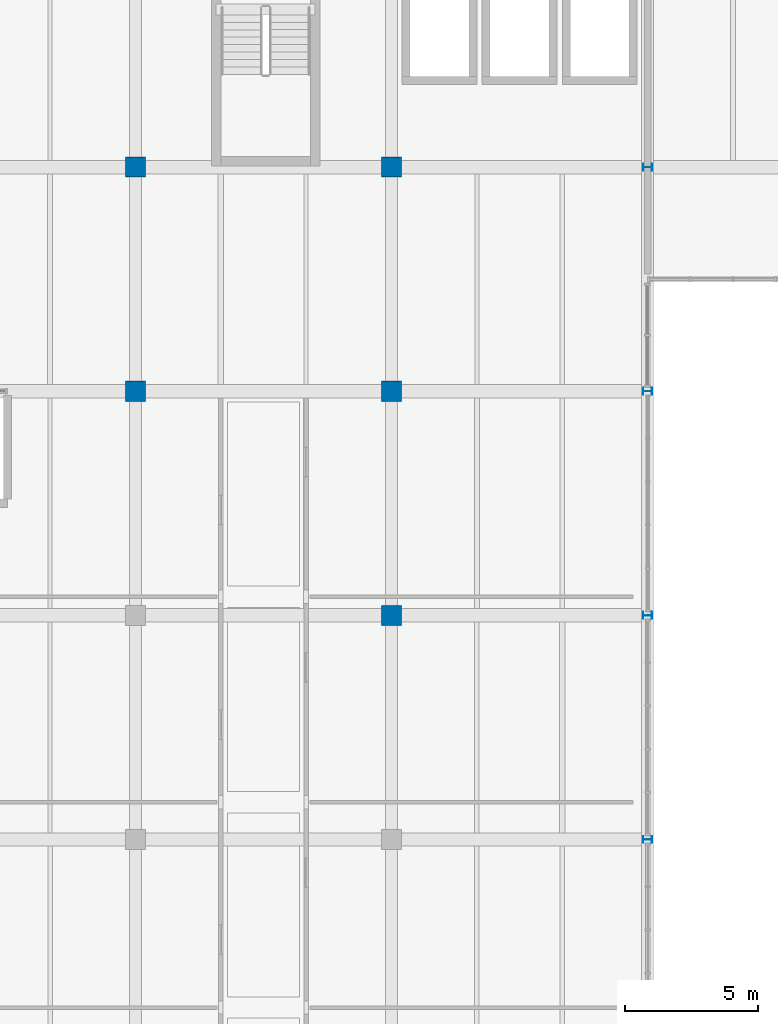
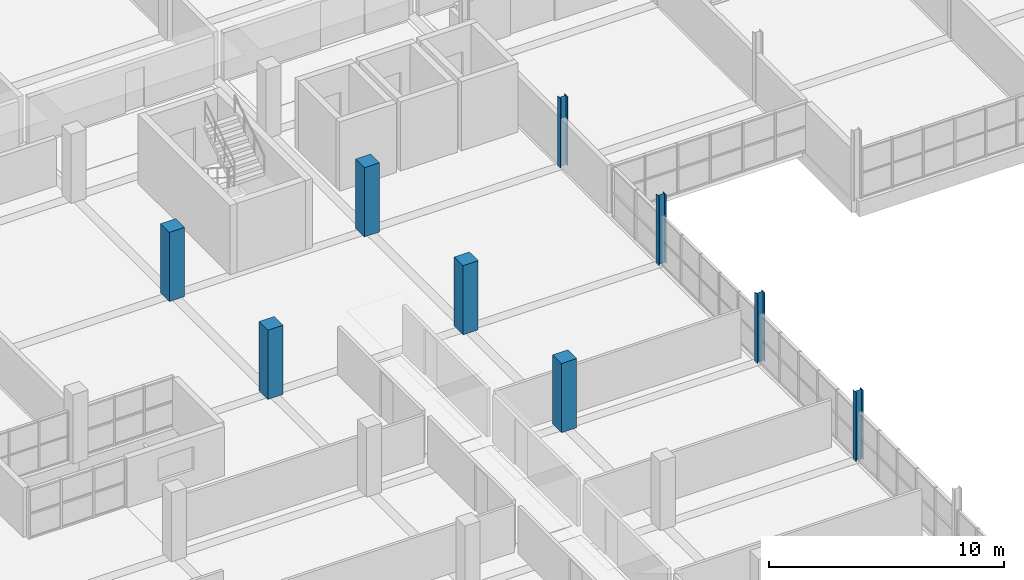
# One storey, part 7 of 147: 9 columns.
"""IFC4 building model written with IfcOpenShell, lengths in metres."""

from ifc_helpers import new_model, si_unit, direction, frame, origin, origin_2d, place, context, subcontext, project, spatial, rectangle, i_section, extrude, material, material_profile, profile_set, type_object, element, save


model = new_model("IFC4")

# Units and contexts
model_context = context("Model", 3, precision=1e-05, world=origin(), true_north=direction((0.0, 1.0)))
body_context = subcontext(model_context, "Body", "Model", "MODEL_VIEW")
ifc_project = project(units=[si_unit("LENGTHUNIT", "METRE"), si_unit("AREAUNIT", "SQUARE_METRE"), si_unit("VOLUMEUNIT", "CUBIC_METRE"), si_unit("PLANEANGLEUNIT", "RADIAN"), si_unit("MASSUNIT", "GRAM", prefix="KILO")], contexts=[model_context])

# Site, building, storey
site_placement = place(None, origin())
site = spatial("IfcSite", under=ifc_project, at=site_placement, CompositionType="ELEMENT")
building_placement = place(site_placement, origin())
building = spatial("IfcBuilding", under=site, at=building_placement, Name="Oolite Switchyard Hospital", CompositionType="ELEMENT")
storey_placement = place(building_placement, frame((0.0, 0.0, 9.89990234375)))
storey = spatial("IfcBuildingStorey", under=building, at=storey_placement, Name="L02", CompositionType="ELEMENT", Elevation=9.89990234375)

# Columns
ifc_material_1 = material(Name="Concrete C50/60", Category="concrete")
ifc_material_profile_1 = material_profile(ifc_material_1, rectangle(XDim=0.75, YDim=0.75, at=origin_2d()), Name="RC750X750")
ifc_profile_set_1 = profile_set([ifc_material_profile_1], Name="Concrete C50/60")
column_type_1 = type_object("IfcColumnType", Name="COL-RC750", PredefinedType="COLUMN", material=ifc_profile_set_1)
for number, where, z_axis, x_axis, name in (
    (1, (38.39990234375, 84.0, 0.0), (0.0, 0.0, 1.0), (1.0, 0.0, 0.0), "L02 Column 702"),
    (2, (38.39990234375, 92.39990234375, 0.0), (0.0, 0.0, 1.0), (1.0, 0.0, 0.0), "L02 Column 703"),
    (3, (48.0, 75.60009765625, 0.0), (0.0, 0.0, 1.0), (1.0, 0.0, 0.0), "L02 Column 714"),
    (4, (48.0, 84.0, 0.0), (0.0, 0.0, 1.0), (1.0, 0.0, 0.0), "L02 Column 715"),
    (5, (48.0, 92.39990234375, 0.0), (0.0, 0.0, 1.0), (1.0, 0.0, 0.0), "L02 Column 716"),
):
    element("IfcColumn", number, at=place(storey_placement, frame(where, z_axis=z_axis, x_axis=x_axis)), inside=storey, type_object=column_type_1, Name=name, PredefinedType="COLUMN", context=body_context, shape_type="SweptSolid", body=[
        extrude(rectangle(XDim=0.75, YDim=0.75, at=origin_2d()), origin(), (0.0, 0.0, 1.0), 3.60009765625),
    ])
ifc_material_2 = material(Name="Steel ASTM A992 Grade 50", Category="steel")
ifc_material_profile_2 = material_profile(ifc_material_2, i_section(OverallWidth=0.25390625, OverallDepth=0.35595703125, WebThickness=0.010986328125, FlangeThickness=0.01806640625, at=origin_2d()), Name="W14X68")
ifc_profile_set_2 = profile_set([ifc_material_profile_2], Name="Steel ASTM A992 Grade 50")
column_type_2 = type_object("IfcColumnType", Name="COL-STL14X68", PredefinedType="COLUMN", material=ifc_profile_set_2)
for number, where, z_axis, x_axis, name in (
    (6, (57.60009765625, 67.199951171875, 0.0), (0.0, 0.0, 1.0), (0.0, -1.0, 0.0), "L02 Column 726"),
    (7, (57.60009765625, 75.60009765625, 0.0), (0.0, 0.0, 1.0), (0.0, -1.0, 0.0), "L02 Column 727"),
    (8, (57.60009765625, 84.0, 0.0), (0.0, 0.0, 1.0), (0.0, -1.0, 0.0), "L02 Column 728"),
    (9, (57.60009765625, 92.39990234375, 0.0), (0.0, 0.0, 1.0), (0.0, -1.0, 0.0), "L02 Column 729"),
):
    element("IfcColumn", number, at=place(storey_placement, frame(where, z_axis=z_axis, x_axis=x_axis)), inside=storey, type_object=column_type_2, Name=name, PredefinedType="COLUMN", context=body_context, shape_type="SweptSolid", body=[
        extrude(i_section(OverallWidth=0.25390625, OverallDepth=0.35595703125, WebThickness=0.010986328125, FlangeThickness=0.01806640625, at=origin_2d()), origin(), (0.0, 0.0, 1.0), 3.60009765625),
    ])

save(model, "model.ifc")
